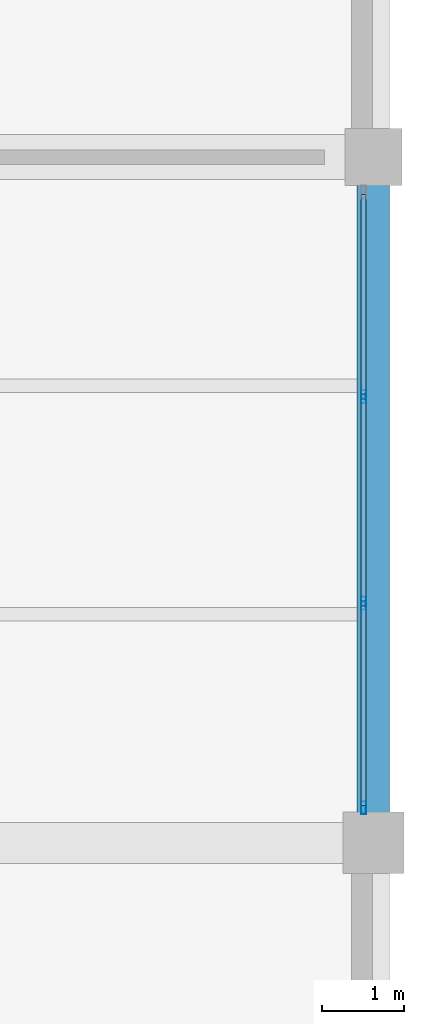
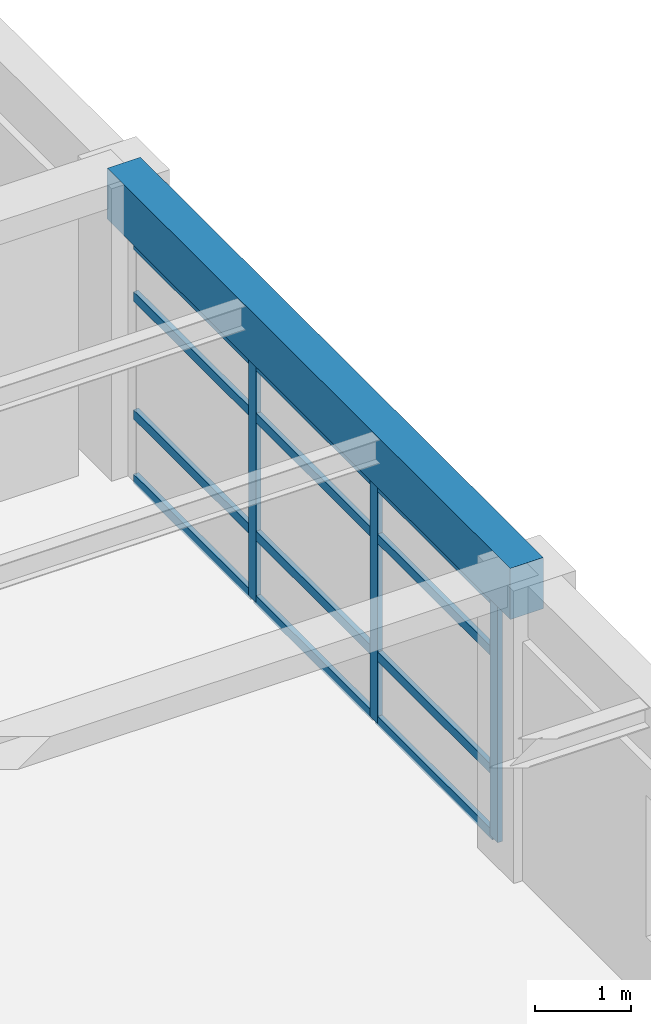
# One storey, part 12 of 26: 15 members, 1 beam, 1 element without a shape of its own.
"""IFC4 building model written with IfcOpenShell, lengths in metres."""

from ifc_helpers import new_model, si_unit, direction, frame, origin, origin_2d, place, context, subcontext, project, spatial, rectangle, hollow_rectangle, extrude, material, material_profile, profile_set, type_object, element, aggregate, save


model = new_model("IFC4")

# Units and contexts
model_context = context("Model", 3, precision=1e-05, world=origin(), true_north=direction((0.0, 1.0)))
body_context = subcontext(model_context, "Body", "Model", "MODEL_VIEW")
ifc_project = project(units=[si_unit("LENGTHUNIT", "METRE"), si_unit("AREAUNIT", "SQUARE_METRE"), si_unit("VOLUMEUNIT", "CUBIC_METRE"), si_unit("PLANEANGLEUNIT", "RADIAN"), si_unit("MASSUNIT", "GRAM", prefix="KILO")], contexts=[model_context])

# Site, building, storey
site_placement = place(None, origin())
site = spatial("IfcSite", under=ifc_project, at=site_placement, CompositionType="ELEMENT")
building_placement = place(site_placement, origin())
building = spatial("IfcBuilding", under=site, at=building_placement, Name="Almacenes y Pasaje Nevantli", CompositionType="ELEMENT")
storey_placement = place(building_placement, frame((0.0, 0.0, 30.699951171875)))
storey = spatial("IfcBuildingStorey", under=building, at=storey_placement, Name="L07", CompositionType="ELEMENT", Elevation=30.699951171875)

# Beam
ifc_material_1 = material(Name="Concrete C35/45", Category="concrete")
ifc_material_profile_1 = material_profile(ifc_material_1, rectangle(XDim=0.39990234375, YDim=0.64990234375, at=origin_2d()), Name="RC-BM-400x650")
ifc_profile_set_1 = profile_set([ifc_material_profile_1], Name="Concrete C35/45")
beam_type = type_object("IfcBeamType", Name="BM-RC-400x650", PredefinedType="SPANDREL", material=ifc_profile_set_1)
beam_placement = place(storey_placement, frame((159.60009765625, 75.60009765625, 3.39501953125), z_axis=(0.0, 1.0, 0.0), x_axis=(-1.0, 0.0, 0.0)))
element("IfcBeam", 1, at=beam_placement, inside=storey, type_object=beam_type, Name="L07 North-South Reinforced Concrete Beam #3682", PredefinedType="SPANDREL", context=body_context, shape_type="SweptSolid", body=[
    extrude(rectangle(XDim=0.39990234375, YDim=0.64990234375, at=origin_2d()), origin(), (0.0, 0.0, 1.0), 8.39990234375),
])

# Curtain wall, members
ifc_material_2 = material(Name="Thermally Broken Aluminium and Low-E Glass", Category="aluminium")
curtain_wall_type = type_object("IfcCurtainWallType", Name="CW-UNIT-TOWER", PredefinedType="USERDEFINED", material=ifc_material_2)
curtain_wall_placement = place(storey_placement, origin())
curtain_wall = element("IfcCurtainWall", 2, at=curtain_wall_placement, inside=storey, type_object=curtain_wall_type, Name="L07 Tower East Curtain Wall Bay 10", ObjectType="UNITIZED CURTAIN WALL", PredefinedType="USERDEFINED")
ifc_material_3 = material(Name="Thermally Broken Anodized Aluminium", Category="aluminium")
ifc_material_profile_2 = material_profile(ifc_material_3, hollow_rectangle(XDim=0.06005859375, YDim=0.159912109375, WallThickness=0.00390625, at=origin_2d()), Name="ALU-MUL-60x160")
ifc_profile_set_2 = profile_set([ifc_material_profile_2], Name="Thermally Broken Anodized Aluminium")
member_type_1 = type_object("IfcMemberType", Name="CW-MUL-180", PredefinedType="MULLION", material=ifc_profile_set_2)
member_1_placement = place(storey_placement, frame((159.47998046875, 76.030029296875, 0.0), z_axis=(0.0, 0.0, 1.0), x_axis=(-1.0, 0.0, 0.0)))
member_1 = element("IfcMember", 3, at=member_1_placement, type_object=member_type_1, Name="CW-L07-118 mullion 1", PredefinedType="MULLION", context=body_context, shape_type="SweptSolid", body=[
    extrude(hollow_rectangle(XDim=0.06005859375, YDim=0.159912109375, WallThickness=0.00390625, at=origin_2d()), origin(), (0.0, 0.0, 1.0), 3.0400390625),
])
member_2_placement = place(storey_placement, frame((159.47998046875, 78.533447265625, 0.0), z_axis=(0.0, 0.0, 1.0), x_axis=(-1.0, 0.0, 0.0)))
member_2 = element("IfcMember", 4, at=member_2_placement, type_object=member_type_1, Name="CW-L07-118 mullion 2", PredefinedType="MULLION", context=body_context, shape_type="SweptSolid", body=[
    extrude(hollow_rectangle(XDim=0.06005859375, YDim=0.159912109375, WallThickness=0.00390625, at=origin_2d()), origin(), (0.0, 0.0, 1.0), 3.0400390625),
])
member_3_placement = place(storey_placement, frame((159.47998046875, 81.066650390625, 0.0), z_axis=(0.0, 0.0, 1.0), x_axis=(-1.0, 0.0, 0.0)))
member_3 = element("IfcMember", 5, at=member_3_placement, type_object=member_type_1, Name="CW-L07-118 mullion 3", PredefinedType="MULLION", context=body_context, shape_type="SweptSolid", body=[
    extrude(hollow_rectangle(XDim=0.06005859375, YDim=0.159912109375, WallThickness=0.00390625, at=origin_2d()), origin(), (0.0, 0.0, 1.0), 3.0400390625),
])
ifc_material_4 = material(Name="Thermally Broken Anodized Aluminium", Category="aluminium")
ifc_material_profile_3 = material_profile(ifc_material_4, hollow_rectangle(XDim=0.06005859375, YDim=0.1201171875, WallThickness=0.00341796875, at=origin_2d()), Name="ALU-TRN-60x120")
ifc_profile_set_3 = profile_set([ifc_material_profile_3], Name="Thermally Broken Anodized Aluminium")
member_type_2 = type_object("IfcMemberType", Name="CW-TRN-130", PredefinedType="USERDEFINED", material=ifc_profile_set_3)
member_4_placement = place(storey_placement, frame((159.47998046875, 76.06005859375, 0.030029296875), z_axis=(0.0, 1.0, 0.0), x_axis=(-1.0, 0.0, 0.0)))
member_4 = element("IfcMember", 6, at=member_4_placement, type_object=member_type_2, Name="CW-L07-118 transom 1.1", ObjectType="TRANSOM", PredefinedType="USERDEFINED", context=body_context, shape_type="SweptSolid", body=[
    extrude(hollow_rectangle(XDim=0.06005859375, YDim=0.1201171875, WallThickness=0.00341796875, at=origin_2d()), origin(), (0.0, 0.0, 1.0), 2.443359375),
])
member_5_placement = place(storey_placement, frame((159.47998046875, 76.06005859375, 0.85009765625), z_axis=(0.0, 1.0, 0.0), x_axis=(-1.0, 0.0, 0.0)))
member_5 = element("IfcMember", 7, at=member_5_placement, type_object=member_type_2, Name="CW-L07-118 transom 1.2", ObjectType="TRANSOM", PredefinedType="USERDEFINED", context=body_context, shape_type="SweptSolid", body=[
    extrude(hollow_rectangle(XDim=0.06005859375, YDim=0.1201171875, WallThickness=0.00341796875, at=origin_2d()), origin(), (0.0, 0.0, 1.0), 2.443359375),
])
member_6_placement = place(storey_placement, frame((159.47998046875, 76.06005859375, 2.35009765625), z_axis=(0.0, 1.0, 0.0), x_axis=(-1.0, 0.0, 0.0)))
member_6 = element("IfcMember", 8, at=member_6_placement, type_object=member_type_2, Name="CW-L07-118 transom 1.3", ObjectType="TRANSOM", PredefinedType="USERDEFINED", context=body_context, shape_type="SweptSolid", body=[
    extrude(hollow_rectangle(XDim=0.06005859375, YDim=0.1201171875, WallThickness=0.00341796875, at=origin_2d()), origin(), (0.0, 0.0, 1.0), 2.443359375),
])
member_7_placement = place(storey_placement, frame((159.47998046875, 76.06005859375, 3.010009765625), z_axis=(0.0, 1.0, 0.0), x_axis=(-1.0, 0.0, 0.0)))
member_7 = element("IfcMember", 9, at=member_7_placement, type_object=member_type_2, Name="CW-L07-118 transom 1.4", ObjectType="TRANSOM", PredefinedType="USERDEFINED", context=body_context, shape_type="SweptSolid", body=[
    extrude(hollow_rectangle(XDim=0.06005859375, YDim=0.1201171875, WallThickness=0.00341796875, at=origin_2d()), origin(), (0.0, 0.0, 1.0), 2.443359375),
])
member_8_placement = place(storey_placement, frame((159.47998046875, 78.563232421875, 0.030029296875), z_axis=(0.0, 1.0, 0.0), x_axis=(-1.0, 0.0, 0.0)))
member_8 = element("IfcMember", 10, at=member_8_placement, type_object=member_type_2, Name="CW-L07-118 transom 2.1", ObjectType="TRANSOM", PredefinedType="USERDEFINED", context=body_context, shape_type="SweptSolid", body=[
    extrude(hollow_rectangle(XDim=0.06005859375, YDim=0.1201171875, WallThickness=0.00341796875, at=origin_2d()), origin(), (0.0, 0.0, 1.0), 2.473388671875),
])
member_9_placement = place(storey_placement, frame((159.47998046875, 78.563232421875, 0.85009765625), z_axis=(0.0, 1.0, 0.0), x_axis=(-1.0, 0.0, 0.0)))
member_9 = element("IfcMember", 11, at=member_9_placement, type_object=member_type_2, Name="CW-L07-118 transom 2.2", ObjectType="TRANSOM", PredefinedType="USERDEFINED", context=body_context, shape_type="SweptSolid", body=[
    extrude(hollow_rectangle(XDim=0.06005859375, YDim=0.1201171875, WallThickness=0.00341796875, at=origin_2d()), origin(), (0.0, 0.0, 1.0), 2.473388671875),
])
member_10_placement = place(storey_placement, frame((159.47998046875, 78.563232421875, 2.35009765625), z_axis=(0.0, 1.0, 0.0), x_axis=(-1.0, 0.0, 0.0)))
member_10 = element("IfcMember", 12, at=member_10_placement, type_object=member_type_2, Name="CW-L07-118 transom 2.3", ObjectType="TRANSOM", PredefinedType="USERDEFINED", context=body_context, shape_type="SweptSolid", body=[
    extrude(hollow_rectangle(XDim=0.06005859375, YDim=0.1201171875, WallThickness=0.00341796875, at=origin_2d()), origin(), (0.0, 0.0, 1.0), 2.473388671875),
])
member_11_placement = place(storey_placement, frame((159.47998046875, 78.563232421875, 3.010009765625), z_axis=(0.0, 1.0, 0.0), x_axis=(-1.0, 0.0, 0.0)))
member_11 = element("IfcMember", 13, at=member_11_placement, type_object=member_type_2, Name="CW-L07-118 transom 2.4", ObjectType="TRANSOM", PredefinedType="USERDEFINED", context=body_context, shape_type="SweptSolid", body=[
    extrude(hollow_rectangle(XDim=0.06005859375, YDim=0.1201171875, WallThickness=0.00341796875, at=origin_2d()), origin(), (0.0, 0.0, 1.0), 2.473388671875),
])
member_12_placement = place(storey_placement, frame((159.47998046875, 81.0966796875, 0.030029296875), z_axis=(0.0, 1.0, 0.0), x_axis=(-1.0, 0.0, 0.0)))
member_12 = element("IfcMember", 14, at=member_12_placement, type_object=member_type_2, Name="CW-L07-118 transom 3.1", ObjectType="TRANSOM", PredefinedType="USERDEFINED", context=body_context, shape_type="SweptSolid", body=[
    extrude(hollow_rectangle(XDim=0.06005859375, YDim=0.1201171875, WallThickness=0.00341796875, at=origin_2d()), origin(), (0.0, 0.0, 1.0), 2.443359375),
])
member_13_placement = place(storey_placement, frame((159.47998046875, 81.0966796875, 0.85009765625), z_axis=(0.0, 1.0, 0.0), x_axis=(-1.0, 0.0, 0.0)))
member_13 = element("IfcMember", 15, at=member_13_placement, type_object=member_type_2, Name="CW-L07-118 transom 3.2", ObjectType="TRANSOM", PredefinedType="USERDEFINED", context=body_context, shape_type="SweptSolid", body=[
    extrude(hollow_rectangle(XDim=0.06005859375, YDim=0.1201171875, WallThickness=0.00341796875, at=origin_2d()), origin(), (0.0, 0.0, 1.0), 2.443359375),
])
member_14_placement = place(storey_placement, frame((159.47998046875, 81.0966796875, 2.35009765625), z_axis=(0.0, 1.0, 0.0), x_axis=(-1.0, 0.0, 0.0)))
member_14 = element("IfcMember", 16, at=member_14_placement, type_object=member_type_2, Name="CW-L07-118 transom 3.3", ObjectType="TRANSOM", PredefinedType="USERDEFINED", context=body_context, shape_type="SweptSolid", body=[
    extrude(hollow_rectangle(XDim=0.06005859375, YDim=0.1201171875, WallThickness=0.00341796875, at=origin_2d()), origin(), (0.0, 0.0, 1.0), 2.443359375),
])
member_15_placement = place(storey_placement, frame((159.47998046875, 81.0966796875, 3.010009765625), z_axis=(0.0, 1.0, 0.0), x_axis=(-1.0, 0.0, 0.0)))
member_15 = element("IfcMember", 17, at=member_15_placement, type_object=member_type_2, Name="CW-L07-118 transom 3.4", ObjectType="TRANSOM", PredefinedType="USERDEFINED", context=body_context, shape_type="SweptSolid", body=[
    extrude(hollow_rectangle(XDim=0.06005859375, YDim=0.1201171875, WallThickness=0.00341796875, at=origin_2d()), origin(), (0.0, 0.0, 1.0), 2.443359375),
])
aggregate(curtain_wall, [member_1, member_2, member_3, member_4, member_5, member_6, member_7, member_8, member_9, member_10, member_11, member_12, member_13, member_14, member_15])

save(model, "model.ifc")
